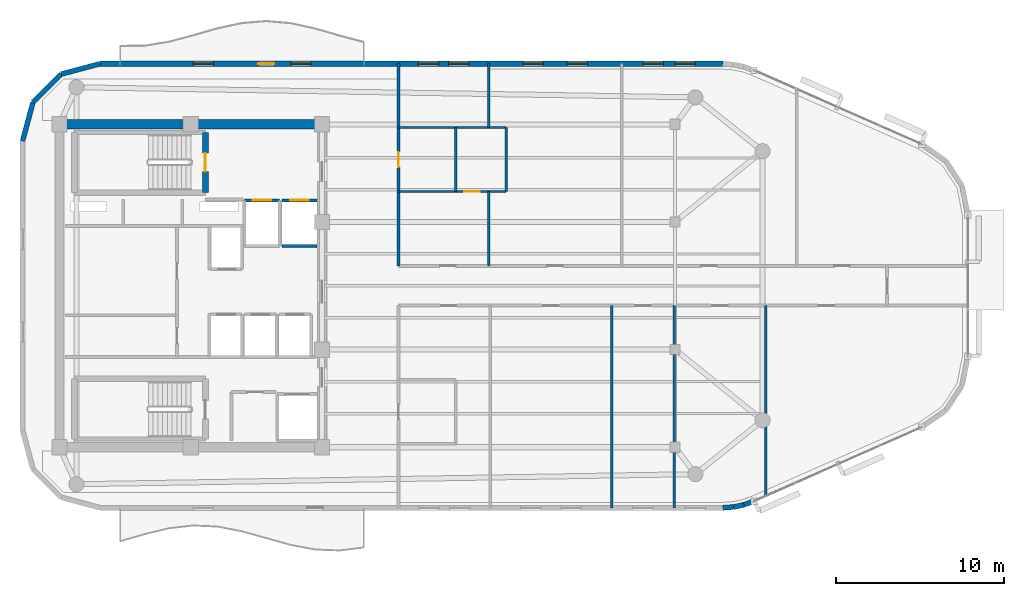
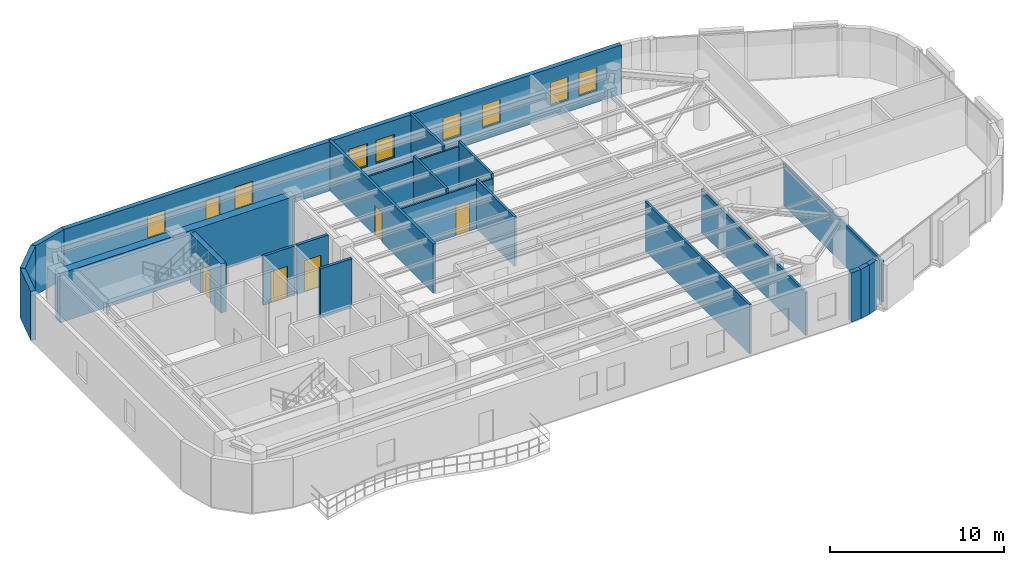
# One storey, part 9 of 14: 22 walls, 8 windows, 6 doors, 14 openings.
"""IFC4 building model written with IfcOpenShell, lengths in metres."""

from ifc_helpers import new_model, si_unit, direction, frame, frame_2d, origin, place, context, subcontext, project, spatial, rectangle, extrude, material, layer, layer_set, type_object, element, fill, save


model = new_model("IFC4")

# Units and contexts
model_context = context("Model", 3, precision=1e-05, world=origin(), true_north=direction((0.0, 1.0)))
body_context = subcontext(model_context, "Body", "Model", "MODEL_VIEW")
ifc_project = project(units=[si_unit("LENGTHUNIT", "METRE"), si_unit("AREAUNIT", "SQUARE_METRE"), si_unit("VOLUMEUNIT", "CUBIC_METRE"), si_unit("PLANEANGLEUNIT", "RADIAN"), si_unit("MASSUNIT", "GRAM", prefix="KILO")], contexts=[model_context])

# Site, building, storey
site_placement = place(None, origin())
site = spatial("IfcSite", under=ifc_project, at=site_placement, CompositionType="ELEMENT")
building_placement = place(site_placement, origin())
building = spatial("IfcBuilding", under=site, at=building_placement, Name="An Khanh Terracotta Commons", CompositionType="ELEMENT")
storey_placement = place(building_placement, frame((0.0, 0.0, 280.699951171875)))
storey = spatial("IfcBuildingStorey", under=building, at=storey_placement, Name="L73", CompositionType="ELEMENT", Elevation=280.699951171875)

# Wall
ifc_material_1 = material(Name="Concrete C50/60", Category="concrete")
ifc_layer_1 = layer(ifc_material_1, 0.550048828125, Name="Concrete C50/60")
ifc_layer_set_1 = layer_set([ifc_layer_1], Name="Concrete C50/60")
wall_type_1 = type_object("IfcWallType", Name="WALL-CORE-550", PredefinedType="SHEAR", material=ifc_layer_set_1)
wall_1_placement = place(storey_placement, frame((21.60009765625, 33.60009765625, 0.0), z_axis=(0.0, 0.0, 1.0), x_axis=(1.0, 0.0, 0.0)))
element("IfcWall", 1, at=wall_1_placement, inside=storey, type_object=wall_type_1, Name="L73 Core Wall CWALL-L73-N", PredefinedType="SHEAR", context=body_context, shape_type="SweptSolid", body=[
    extrude(rectangle(XDim=15.599853515625, YDim=0.550048828125, at=frame_2d((7.7998046875, 0.0))), origin(), (0.0, 0.0, 1.0), 3.449951171875),
])

# Wall, opening, door
ifc_material_2 = material(Name="Fire-Rated Gypsum Board on Steel Stud", Category="steel")
ifc_layer_2 = layer(ifc_material_2, 0.179931640625, Name="Fire-Rated Gypsum Board on Steel Stud")
ifc_layer_set_2 = layer_set([ifc_layer_2], Name="Fire-Rated Gypsum Board on Steel Stud")
wall_type_2 = type_object("IfcWallType", Name="WALL-CORR-180", PredefinedType="PARTITIONING", material=ifc_layer_set_2)
wall_2_placement = place(storey_placement, frame((32.60009765625, 29.080078125, 0.0), z_axis=(0.0, 0.0, 1.0), x_axis=(1.0, 0.0, 0.0)))
wall_2 = element("IfcWall", 2, at=wall_2_placement, inside=storey, type_object=wall_type_2, Name="L73 Core Wall LSH-L73-FFL-01-N", PredefinedType="PARTITIONING", context=body_context, shape_type="SweptSolid", body=[
    extrude(rectangle(XDim=2.079833984375, YDim=0.179931640625, at=frame_2d((1.0400390625, 0.0))), origin(), (0.0, 0.0, 1.0), 3.449951171875),
])
opening_1_placement = place(wall_2_placement, frame((0.489990234375, 0.0, 0.0)))
opening_1 = element("IfcOpeningElement", 3, at=opening_1_placement, cuts=wall_2, Name="Opening LD-FFL-01-L73", PredefinedType="OPENING", context=body_context, shape_type="SweptSolid", body=[
    extrude(rectangle(XDim=1.10009765625, YDim=2.199951171875, at=frame_2d((0.550048828125, 1.10009765625))), frame((0.0, 0.099853515625, 0.0), z_axis=(0.0, -1.0, 0.0), x_axis=(1.0, 0.0, 0.0)), (0.0, 0.0, 1.0), 0.199951171875),
])
ifc_material_3 = material(Name="Brushed Stainless Steel Fire Landing Door", Category="steel")
door_type_1 = type_object("IfcDoorType", Name="DOOR-LD-FFL-1100", OperationType="NOTDEFINED", PredefinedType="DOOR", material=ifc_material_3)
door_1_placement = place(opening_1_placement, origin())
door_1 = element("IfcDoor", 4, at=door_1_placement, inside=storey, type_object=door_type_1, Name="L73 Lift FFL-01 Sliding Landing Door", OperationType="DOUBLE_DOOR_SLIDING", OverallHeight=2.199951171875, OverallWidth=1.10009765625, PredefinedType="DOOR", context=body_context, shape_type="SweptSolid", body=[
    extrude(rectangle(XDim=1.10009765625, YDim=2.199951171875, at=frame_2d((0.550048828125, 1.10009765625))), frame((0.0, 0.02490234375, 0.0), z_axis=(0.0, -1.0, 0.0), x_axis=(1.0, 0.0, 0.0)), (0.0, 0.0, 1.0), 0.050048828125),
])
fill(opening_1, door_1)

wall_3_placement = place(storey_placement, frame((34.820068359375, 29.080078125, 0.0), z_axis=(0.0, 0.0, 1.0), x_axis=(1.0, 0.0, 0.0)))
wall_3 = element("IfcWall", 5, at=wall_3_placement, inside=storey, type_object=wall_type_2, Name="L73 Core Wall LSH-L73-FFL-02-N", PredefinedType="PARTITIONING", context=body_context, shape_type="SweptSolid", body=[
    extrude(rectangle(XDim=2.079833984375, YDim=0.179931640625, at=frame_2d((1.0400390625, 0.0))), origin(), (0.0, 0.0, 1.0), 3.449951171875),
])
opening_2_placement = place(wall_3_placement, frame((0.489990234375, 0.0, 0.0)))
opening_2 = element("IfcOpeningElement", 6, at=opening_2_placement, cuts=wall_3, Name="Opening LD-FFL-02-L73", PredefinedType="OPENING", context=body_context, shape_type="SweptSolid", body=[
    extrude(rectangle(XDim=1.10009765625, YDim=2.199951171875, at=frame_2d((0.550048828125, 1.10009765625))), frame((0.0, 0.099853515625, 0.0), z_axis=(0.0, -1.0, 0.0), x_axis=(1.0, 0.0, 0.0)), (0.0, 0.0, 1.0), 0.199951171875),
])
door_2_placement = place(opening_2_placement, origin())
door_2 = element("IfcDoor", 7, at=door_2_placement, inside=storey, type_object=door_type_1, Name="L73 Lift FFL-02 Sliding Landing Door", OperationType="DOUBLE_DOOR_SLIDING", OverallHeight=2.199951171875, OverallWidth=1.10009765625, PredefinedType="DOOR", context=body_context, shape_type="SweptSolid", body=[
    extrude(rectangle(XDim=1.10009765625, YDim=2.199951171875, at=frame_2d((0.550048828125, 1.10009765625))), frame((0.0, 0.02490234375, 0.0), z_axis=(0.0, -1.0, 0.0), x_axis=(1.0, 0.0, 0.0)), (0.0, 0.0, 1.0), 0.050048828125),
])
fill(opening_2, door_2)

# Wall
wall_4_placement = place(storey_placement, frame((36.89990234375, 26.35009765625, 0.0), z_axis=(0.0, 0.0, 1.0), x_axis=(-1.0, 0.0, 0.0)))
element("IfcWall", 8, at=wall_4_placement, inside=storey, type_object=wall_type_2, Name="L73 Core Wall LSH-L73-FFL-02-S", PredefinedType="PARTITIONING", context=body_context, shape_type="SweptSolid", body=[
    extrude(rectangle(XDim=2.079833984375, YDim=0.179931640625, at=frame_2d((1.0400390625, 0.0))), origin(), (0.0, 0.0, 1.0), 3.449951171875),
])

# Wall, opening, door
wall_5_placement = place(storey_placement, frame((41.75, 25.179931640625, 0.0), z_axis=(0.0, 0.0, 1.0), x_axis=(0.0, 1.0, 0.0)))
wall_5 = element("IfcWall", 9, at=wall_5_placement, inside=storey, type_object=wall_type_2, Name="L73 Interior Partition IW-L73-E008", PredefinedType="PARTITIONING", context=body_context, shape_type="SweptSolid", body=[
    extrude(rectangle(XDim=12.02001953125, YDim=0.179931640625, at=frame_2d((6.010009765625, 0.0))), origin(), (0.0, 0.0, 1.0), 3.449951171875),
])
opening_3_placement = place(wall_5_placement, frame((5.8701171875, 0.0, 0.0)))
opening_3 = element("IfcOpeningElement", 10, at=opening_3_placement, cuts=wall_5, Name="Opening D-WC", PredefinedType="OPENING", context=body_context, shape_type="SweptSolid", body=[
    extrude(rectangle(XDim=0.89990234375, YDim=2.10009765625, at=frame_2d((0.449951171875, 1.050048828125))), frame((0.0, 0.099853515625, 0.0), z_axis=(0.0, -1.0, 0.0), x_axis=(1.0, 0.0, 0.0)), (0.0, 0.0, 1.0), 0.199951171875),
])
ifc_material_4 = material(Name="Laminate Moisture-Resistant Timber Leaf", Category="wood")
door_type_2 = type_object("IfcDoorType", Name="DOOR-WC-900", OperationType="NOTDEFINED", PredefinedType="DOOR", material=ifc_material_4)
door_3_placement = place(opening_3_placement, origin())
door_3 = element("IfcDoor", 11, at=door_3_placement, inside=storey, type_object=door_type_2, Name="L73 AWC Accessible WC Door", OperationType="SINGLE_SWING_LEFT", OverallHeight=2.10009765625, OverallWidth=0.89990234375, PredefinedType="DOOR", context=body_context, shape_type="SweptSolid", body=[
    extrude(rectangle(XDim=0.89990234375, YDim=2.10009765625, at=frame_2d((0.449951171875, 1.050048828125))), frame((0.0, 0.02490234375, 0.0), z_axis=(0.0, -1.0, 0.0), x_axis=(1.0, 0.0, 0.0)), (0.0, 0.0, 1.0), 0.050048828125),
])
fill(opening_3, door_3)

# Walls
ifc_material_5 = material(Name="Precast concrete C40/50", Category="concrete")
ifc_layer_3 = layer(ifc_material_5, 0.300048828125, Name="Precast concrete C40/50")
ifc_layer_set_3 = layer_set([ifc_layer_3], Name="Precast concrete C40/50")
wall_type_3 = type_object("IfcWallType", Name="WALL-EXT-300", PredefinedType="SOLIDWALL", material=ifc_layer_set_3)
wall_6_placement = place(storey_placement, frame((61.030029296875, 10.800048828125, 0.0), z_axis=(0.0, 0.0, 1.0), x_axis=(0.997613959688, 0.069039028352, 0.0)))
element("IfcWall", 12, at=wall_6_placement, inside=storey, type_object=wall_type_3, Name="L73 Insulated Terracotta Exterior Wall 5", PredefinedType="SOLIDWALL", context=body_context, shape_type="SweptSolid", body=[
    extrude(rectangle(XDim=0.636474609375, YDim=0.300048828125, at=frame_2d((0.318359375, 0.0))), origin(), (0.0, 0.0, 1.0), 3.449951171875),
])
wall_7_placement = place(storey_placement, frame((61.6650390625, 10.843994140625, 0.0), z_axis=(0.0, 0.0, 1.0), x_axis=(0.97857012251, 0.205913854149, 0.0)))
element("IfcWall", 13, at=wall_7_placement, inside=storey, type_object=wall_type_3, Name="L73 Insulated Terracotta Exterior Wall 6", PredefinedType="SOLIDWALL", context=body_context, shape_type="SweptSolid", body=[
    extrude(rectangle(XDim=0.63671875, YDim=0.300048828125, at=frame_2d((0.318359375, 0.0))), origin(), (0.0, 0.0, 1.0), 3.449951171875),
])
wall_8_placement = place(storey_placement, frame((62.2880859375, 10.97509765625, 0.0), z_axis=(0.0, 0.0, 1.0), x_axis=(0.94077491148, 0.339031806665, 0.0)))
element("IfcWall", 14, at=wall_8_placement, inside=storey, type_object=wall_type_3, Name="L73 Insulated Terracotta Exterior Wall 7", PredefinedType="SOLIDWALL", context=body_context, shape_type="SweptSolid", body=[
    extrude(rectangle(XDim=0.636474609375, YDim=0.300048828125, at=frame_2d((0.318359375, 0.0))), origin(), (0.0, 0.0, 1.0), 3.449951171875),
])

# Wall, openings, door, windows
wall_9_placement = place(storey_placement, frame((61.030029296875, 37.199951171875, 0.0), z_axis=(0.0, 0.0, 1.0), x_axis=(-1.0, 0.0, 0.0)))
wall_9 = element("IfcWall", 15, at=wall_9_placement, inside=storey, type_object=wall_type_3, Name="L73 Insulated Terracotta Exterior Wall 20", PredefinedType="SOLIDWALL", context=body_context, shape_type="SweptSolid", body=[
    extrude(rectangle(XDim=37.030029296875, YDim=0.300048828125, at=frame_2d((18.51513671875, 0.0))), origin(), (0.0, 0.0, 1.0), 3.449951171875),
])
opening_4_placement = place(wall_9_placement, frame((26.655029296875, 0.0, 0.0)))
opening_4 = element("IfcOpeningElement", 16, at=opening_4_placement, cuts=wall_9, Name="Opening D-BAL", PredefinedType="OPENING", context=body_context, shape_type="SweptSolid", body=[
    extrude(rectangle(XDim=0.949951171875, YDim=2.199951171875, at=frame_2d((0.47509765625, 1.10009765625))), frame((0.0, 0.159912109375, 0.0), z_axis=(0.0, -1.0, 0.0), x_axis=(1.0, 0.0, 0.0)), (0.0, 0.0, 1.0), 0.320068359375),
])
opening_5_placement = place(wall_9_placement, frame((1.638916015625, 0.0, 0.85009765625)))
opening_5 = element("IfcOpeningElement", 17, at=opening_5_placement, cuts=wall_9, Name="Opening W-05", PredefinedType="OPENING", context=body_context, shape_type="SweptSolid", body=[
    extrude(rectangle(XDim=1.199951171875, YDim=1.60009765625, at=frame_2d((0.60009765625, 0.800048828125))), frame((0.0, 0.159912109375, 0.0), z_axis=(0.0, -1.0, 0.0), x_axis=(1.0, 0.0, 0.0)), (0.0, 0.0, 1.0), 0.320068359375),
])
opening_6_placement = place(wall_9_placement, frame((3.529052734375, 0.0, 0.85009765625)))
opening_6 = element("IfcOpeningElement", 18, at=opening_6_placement, cuts=wall_9, Name="Opening W-05", PredefinedType="OPENING", context=body_context, shape_type="SweptSolid", body=[
    extrude(rectangle(XDim=1.199951171875, YDim=1.60009765625, at=frame_2d((0.60009765625, 0.800048828125))), frame((0.0, 0.159912109375, 0.0), z_axis=(0.0, -1.0, 0.0), x_axis=(1.0, 0.0, 0.0)), (0.0, 0.0, 1.0), 0.320068359375),
])
opening_7_placement = place(wall_9_placement, frame((8.049072265625, 0.0, 0.85009765625)))
opening_7 = element("IfcOpeningElement", 19, at=opening_7_placement, cuts=wall_9, Name="Opening W-05", PredefinedType="OPENING", context=body_context, shape_type="SweptSolid", body=[
    extrude(rectangle(XDim=1.199951171875, YDim=1.60009765625, at=frame_2d((0.60009765625, 0.800048828125))), frame((0.0, 0.159912109375, 0.0), z_axis=(0.0, -1.0, 0.0), x_axis=(1.0, 0.0, 0.0)), (0.0, 0.0, 1.0), 0.320068359375),
])
opening_8_placement = place(wall_9_placement, frame((10.680908203125, 0.0, 0.85009765625)))
opening_8 = element("IfcOpeningElement", 20, at=opening_8_placement, cuts=wall_9, Name="Opening W-05", PredefinedType="OPENING", context=body_context, shape_type="SweptSolid", body=[
    extrude(rectangle(XDim=1.199951171875, YDim=1.60009765625, at=frame_2d((0.60009765625, 0.800048828125))), frame((0.0, 0.159912109375, 0.0), z_axis=(0.0, -1.0, 0.0), x_axis=(1.0, 0.0, 0.0)), (0.0, 0.0, 1.0), 0.320068359375),
])
opening_9_placement = place(wall_9_placement, frame((15.10107421875, 0.0, 0.85009765625)))
opening_9 = element("IfcOpeningElement", 21, at=opening_9_placement, cuts=wall_9, Name="Opening W-05", PredefinedType="OPENING", context=body_context, shape_type="SweptSolid", body=[
    extrude(rectangle(XDim=1.199951171875, YDim=1.60009765625, at=frame_2d((0.60009765625, 0.800048828125))), frame((0.0, 0.159912109375, 0.0), z_axis=(0.0, -1.0, 0.0), x_axis=(1.0, 0.0, 0.0)), (0.0, 0.0, 1.0), 0.320068359375),
])
opening_10_placement = place(wall_9_placement, frame((16.89111328125, 0.0, 0.85009765625)))
opening_10 = element("IfcOpeningElement", 22, at=opening_10_placement, cuts=wall_9, Name="Opening W-05", PredefinedType="OPENING", context=body_context, shape_type="SweptSolid", body=[
    extrude(rectangle(XDim=1.199951171875, YDim=1.60009765625, at=frame_2d((0.60009765625, 0.800048828125))), frame((0.0, 0.159912109375, 0.0), z_axis=(0.0, -1.0, 0.0), x_axis=(1.0, 0.0, 0.0)), (0.0, 0.0, 1.0), 0.320068359375),
])
opening_11_placement = place(wall_9_placement, frame((24.47998046875, 0.0, 0.85009765625)))
opening_11 = element("IfcOpeningElement", 23, at=opening_11_placement, cuts=wall_9, Name="Opening W-05", PredefinedType="OPENING", context=body_context, shape_type="SweptSolid", body=[
    extrude(rectangle(XDim=1.199951171875, YDim=1.60009765625, at=frame_2d((0.60009765625, 0.800048828125))), frame((0.0, 0.159912109375, 0.0), z_axis=(0.0, -1.0, 0.0), x_axis=(1.0, 0.0, 0.0)), (0.0, 0.0, 1.0), 0.320068359375),
])
opening_12_placement = place(wall_9_placement, frame((30.280029296875, 0.0, 0.85009765625)))
opening_12 = element("IfcOpeningElement", 24, at=opening_12_placement, cuts=wall_9, Name="Opening W-05", PredefinedType="OPENING", context=body_context, shape_type="SweptSolid", body=[
    extrude(rectangle(XDim=1.199951171875, YDim=1.60009765625, at=frame_2d((0.60009765625, 0.800048828125))), frame((0.0, 0.159912109375, 0.0), z_axis=(0.0, -1.0, 0.0), x_axis=(1.0, 0.0, 0.0)), (0.0, 0.0, 1.0), 0.320068359375),
])
ifc_material_6 = material(Name="Thermally Broken Aluminium and Low-E Glass", Category="aluminium")
door_type_3 = type_object("IfcDoorType", Name="DOOR-BALC-950", OperationType="NOTDEFINED", PredefinedType="DOOR", material=ifc_material_6)
door_4_placement = place(opening_4_placement, origin())
door_4 = element("IfcDoor", 25, at=door_4_placement, inside=storey, type_object=door_type_3, Name="L73 N Wave Balcony Glazed Door", OperationType="SINGLE_SWING_RIGHT", OverallHeight=2.199951171875, OverallWidth=0.949951171875, PredefinedType="DOOR", context=body_context, shape_type="SweptSolid", body=[
    extrude(rectangle(XDim=0.949951171875, YDim=2.199951171875, at=frame_2d((0.47509765625, 1.10009765625))), frame((0.0, 0.02490234375, 0.0), z_axis=(0.0, -1.0, 0.0), x_axis=(1.0, 0.0, 0.0)), (0.0, 0.0, 1.0), 0.050048828125),
])
fill(opening_4, door_4)
window_type = type_object("IfcWindowType", Name="WIN-Z5-1200x1600", PartitioningType="SINGLE_PANEL", PredefinedType="WINDOW", material=ifc_material_6)
window_1_placement = place(opening_5_placement, origin())
window_1 = element("IfcWindow", 26, at=window_1_placement, inside=storey, type_object=window_type, Name="L73 Operable Casement Window 20.1", OverallHeight=1.60009765625, OverallWidth=1.199951171875, PartitioningType="SINGLE_PANEL", PredefinedType="WINDOW", context=body_context, shape_type="SweptSolid", body=[
    extrude(rectangle(XDim=1.199951171875, YDim=1.60009765625, at=frame_2d((0.60009765625, 0.800048828125))), frame((0.0, 0.030029296875, 0.0), z_axis=(0.0, -1.0, 0.0), x_axis=(1.0, 0.0, 0.0)), (0.0, 0.0, 1.0), 0.06005859375),
])
fill(opening_5, window_1)
window_2_placement = place(opening_6_placement, origin())
window_2 = element("IfcWindow", 27, at=window_2_placement, inside=storey, type_object=window_type, Name="L73 Operable Casement Window 20.2", OverallHeight=1.60009765625, OverallWidth=1.199951171875, PartitioningType="SINGLE_PANEL", PredefinedType="WINDOW", context=body_context, shape_type="SweptSolid", body=[
    extrude(rectangle(XDim=1.199951171875, YDim=1.60009765625, at=frame_2d((0.60009765625, 0.800048828125))), frame((0.0, 0.030029296875, 0.0), z_axis=(0.0, -1.0, 0.0), x_axis=(1.0, 0.0, 0.0)), (0.0, 0.0, 1.0), 0.06005859375),
])
fill(opening_6, window_2)
window_3_placement = place(opening_7_placement, origin())
window_3 = element("IfcWindow", 28, at=window_3_placement, inside=storey, type_object=window_type, Name="L73 Operable Casement Window 20.3", OverallHeight=1.60009765625, OverallWidth=1.199951171875, PartitioningType="SINGLE_PANEL", PredefinedType="WINDOW", context=body_context, shape_type="SweptSolid", body=[
    extrude(rectangle(XDim=1.199951171875, YDim=1.60009765625, at=frame_2d((0.60009765625, 0.800048828125))), frame((0.0, 0.030029296875, 0.0), z_axis=(0.0, -1.0, 0.0), x_axis=(1.0, 0.0, 0.0)), (0.0, 0.0, 1.0), 0.06005859375),
])
fill(opening_7, window_3)
window_4_placement = place(opening_8_placement, origin())
window_4 = element("IfcWindow", 29, at=window_4_placement, inside=storey, type_object=window_type, Name="L73 Operable Casement Window 20.4", OverallHeight=1.60009765625, OverallWidth=1.199951171875, PartitioningType="SINGLE_PANEL", PredefinedType="WINDOW", context=body_context, shape_type="SweptSolid", body=[
    extrude(rectangle(XDim=1.199951171875, YDim=1.60009765625, at=frame_2d((0.60009765625, 0.800048828125))), frame((0.0, 0.030029296875, 0.0), z_axis=(0.0, -1.0, 0.0), x_axis=(1.0, 0.0, 0.0)), (0.0, 0.0, 1.0), 0.06005859375),
])
fill(opening_8, window_4)
window_5_placement = place(opening_9_placement, origin())
window_5 = element("IfcWindow", 30, at=window_5_placement, inside=storey, type_object=window_type, Name="L73 Operable Casement Window 20.5", OverallHeight=1.60009765625, OverallWidth=1.199951171875, PartitioningType="SINGLE_PANEL", PredefinedType="WINDOW", context=body_context, shape_type="SweptSolid", body=[
    extrude(rectangle(XDim=1.199951171875, YDim=1.60009765625, at=frame_2d((0.60009765625, 0.800048828125))), frame((0.0, 0.030029296875, 0.0), z_axis=(0.0, -1.0, 0.0), x_axis=(1.0, 0.0, 0.0)), (0.0, 0.0, 1.0), 0.06005859375),
])
fill(opening_9, window_5)
window_6_placement = place(opening_10_placement, origin())
window_6 = element("IfcWindow", 31, at=window_6_placement, inside=storey, type_object=window_type, Name="L73 Operable Casement Window 20.6", OverallHeight=1.60009765625, OverallWidth=1.199951171875, PartitioningType="SINGLE_PANEL", PredefinedType="WINDOW", context=body_context, shape_type="SweptSolid", body=[
    extrude(rectangle(XDim=1.199951171875, YDim=1.60009765625, at=frame_2d((0.60009765625, 0.800048828125))), frame((0.0, 0.030029296875, 0.0), z_axis=(0.0, -1.0, 0.0), x_axis=(1.0, 0.0, 0.0)), (0.0, 0.0, 1.0), 0.06005859375),
])
fill(opening_10, window_6)
window_7_placement = place(opening_11_placement, origin())
window_7 = element("IfcWindow", 32, at=window_7_placement, inside=storey, type_object=window_type, Name="L73 Operable Casement Window 20.7", OverallHeight=1.60009765625, OverallWidth=1.199951171875, PartitioningType="SINGLE_PANEL", PredefinedType="WINDOW", context=body_context, shape_type="SweptSolid", body=[
    extrude(rectangle(XDim=1.199951171875, YDim=1.60009765625, at=frame_2d((0.60009765625, 0.800048828125))), frame((0.0, 0.030029296875, 0.0), z_axis=(0.0, -1.0, 0.0), x_axis=(1.0, 0.0, 0.0)), (0.0, 0.0, 1.0), 0.06005859375),
])
fill(opening_11, window_7)
window_8_placement = place(opening_12_placement, origin())
window_8 = element("IfcWindow", 33, at=window_8_placement, inside=storey, type_object=window_type, Name="L73 Operable Casement Window 20.8", OverallHeight=1.60009765625, OverallWidth=1.199951171875, PartitioningType="SINGLE_PANEL", PredefinedType="WINDOW", context=body_context, shape_type="SweptSolid", body=[
    extrude(rectangle(XDim=1.199951171875, YDim=1.60009765625, at=frame_2d((0.60009765625, 0.800048828125))), frame((0.0, 0.030029296875, 0.0), z_axis=(0.0, -1.0, 0.0), x_axis=(1.0, 0.0, 0.0)), (0.0, 0.0, 1.0), 0.06005859375),
])
fill(opening_12, window_8)

# Walls
wall_10_placement = place(storey_placement, frame((24.0, 37.199951171875, 0.0), z_axis=(0.0, 0.0, 1.0), x_axis=(-0.965960405575, -0.25868995895, 0.0)))
element("IfcWall", 34, at=wall_10_placement, inside=storey, type_object=wall_type_3, Name="L73 Insulated Terracotta Exterior Wall 21", PredefinedType="SOLIDWALL", context=body_context, shape_type="SweptSolid", body=[
    extrude(rectangle(XDim=2.381103515625, YDim=0.300048828125, at=frame_2d((1.1904296875, 0.0))), origin(), (0.0, 0.0, 1.0), 3.449951171875),
])
wall_11_placement = place(storey_placement, frame((21.699951171875, 36.583984375, 0.0), z_axis=(0.0, 0.0, 1.0), x_axis=(-0.707055521135, -0.707158037522, 0.0)))
element("IfcWall", 35, at=wall_11_placement, inside=storey, type_object=wall_type_3, Name="L73 Insulated Terracotta Exterior Wall 22", PredefinedType="SOLIDWALL", context=body_context, shape_type="SweptSolid", body=[
    extrude(rectangle(XDim=2.381591796875, YDim=0.300048828125, at=frame_2d((1.19091796875, 0.0))), origin(), (0.0, 0.0, 1.0), 3.449951171875),
])
wall_12_placement = place(storey_placement, frame((20.01611328125, 34.89990234375, 0.0), z_axis=(0.0, 0.0, 1.0), x_axis=(-0.258811258154, -0.965927912762, 0.0)))
element("IfcWall", 36, at=wall_12_placement, inside=storey, type_object=wall_type_3, Name="L73 Insulated Terracotta Exterior Wall 23", PredefinedType="SOLIDWALL", context=body_context, shape_type="SweptSolid", body=[
    extrude(rectangle(XDim=2.380859375, YDim=0.300048828125, at=frame_2d((1.1904296875, 0.0))), origin(), (0.0, 0.0, 1.0), 3.449951171875),
])
ifc_material_7 = material(Name="Acoustic Gypsum Board Partition")
ifc_layer_4 = layer(ifc_material_7, 0.14990234375, Name="Acoustic Gypsum Board Partition")
ifc_layer_set_4 = layer_set([ifc_layer_4], Name="Acoustic Gypsum Board Partition")
wall_type_4 = type_object("IfcWallType", Name="WALL-PART-150", PredefinedType="PARTITIONING", material=ifc_layer_set_4)
wall_13_placement = place(storey_placement, frame((45.14990234375, 29.60009765625, 0.0), z_axis=(0.0, 0.0, 1.0), x_axis=(0.0, 1.0, 0.0)))
element("IfcWall", 37, at=wall_13_placement, inside=storey, type_object=wall_type_4, Name="L73 Interior Partition IW-L73-E010", PredefinedType="PARTITIONING", context=body_context, shape_type="SweptSolid", body=[
    extrude(rectangle(XDim=3.7998046875, YDim=0.14990234375, at=frame_2d((1.89990234375, 0.0))), origin(), (0.0, 0.0, 1.0), 3.449951171875),
])
wall_14_placement = place(storey_placement, frame((47.117919921875, 25.179931640625, 0.0), z_axis=(0.0, 0.0, 1.0), x_axis=(0.0, 1.0, 0.0)))
element("IfcWall", 38, at=wall_14_placement, inside=storey, type_object=wall_type_4, Name="L73 Interior Partition IW-L73-E012", PredefinedType="PARTITIONING", context=body_context, shape_type="SweptSolid", body=[
    extrude(rectangle(XDim=4.420166015625, YDim=0.14990234375, at=frame_2d((2.2099609375, 0.0))), origin(), (0.0, 0.0, 1.0), 3.449951171875),
])
wall_15_placement = place(storey_placement, frame((47.117919921875, 33.39990234375, 0.0), z_axis=(0.0, 0.0, 1.0), x_axis=(0.0, 1.0, 0.0)))
element("IfcWall", 39, at=wall_15_placement, inside=storey, type_object=wall_type_4, Name="L73 Interior Partition IW-L73-E013", PredefinedType="PARTITIONING", context=body_context, shape_type="SweptSolid", body=[
    extrude(rectangle(XDim=3.800048828125, YDim=0.14990234375, at=frame_2d((1.89990234375, 0.0))), origin(), (0.0, 0.0, 1.0), 3.449951171875),
])
wall_16_placement = place(storey_placement, frame((48.14990234375, 29.60009765625, 0.0), z_axis=(0.0, 0.0, 1.0), x_axis=(0.0, 1.0, 0.0)))
element("IfcWall", 40, at=wall_16_placement, inside=storey, type_object=wall_type_4, Name="L73 Interior Partition IW-L73-E014", PredefinedType="PARTITIONING", context=body_context, shape_type="SweptSolid", body=[
    extrude(rectangle(XDim=3.7998046875, YDim=0.14990234375, at=frame_2d((1.89990234375, 0.0))), origin(), (0.0, 0.0, 1.0), 3.449951171875),
])
wall_17_placement = place(storey_placement, frame((54.41796875, 10.800048828125, 0.0), z_axis=(0.0, 0.0, 1.0), x_axis=(0.0, 1.0, 0.0)))
element("IfcWall", 41, at=wall_17_placement, inside=storey, type_object=wall_type_4, Name="L73 Interior Partition IW-L73-E015", PredefinedType="PARTITIONING", context=body_context, shape_type="SweptSolid", body=[
    extrude(rectangle(XDim=12.02001953125, YDim=0.14990234375, at=frame_2d((6.010009765625, 0.0))), origin(), (0.0, 0.0, 1.0), 3.449951171875),
])
wall_18_placement = place(storey_placement, frame((58.132080078125, 10.800048828125, 0.0), z_axis=(0.0, 0.0, 1.0), x_axis=(0.0, 1.0, 0.0)))
element("IfcWall", 42, at=wall_18_placement, inside=storey, type_object=wall_type_4, Name="L73 Interior Partition IW-L73-E017", PredefinedType="PARTITIONING", context=body_context, shape_type="SweptSolid", body=[
    extrude(rectangle(XDim=12.02001953125, YDim=0.14990234375, at=frame_2d((6.010009765625, 0.0))), origin(), (0.0, 0.0, 1.0), 3.031982421875),
])
wall_19_placement = place(storey_placement, frame((63.592041015625, 11.501953125, 0.0), z_axis=(0.0, 0.0, 1.0), x_axis=(0.0, 1.0, 0.0)))
element("IfcWall", 43, at=wall_19_placement, inside=storey, type_object=wall_type_4, Name="L73 Interior Partition IW-L73-E018", PredefinedType="PARTITIONING", context=body_context, shape_type="SweptSolid", body=[
    extrude(rectangle(XDim=11.318115234375, YDim=0.14990234375, at=frame_2d((5.6591796875, 0.0))), origin(), (0.0, 0.0, 1.0), 2.93212890625),
])

# Wall, opening, door
ifc_layer_5 = layer(ifc_material_1, 0.35009765625, Name="Concrete C50/60")
ifc_layer_set_5 = layer_set([ifc_layer_5], Name="Concrete C50/60")
wall_type_5 = type_object("IfcWallType", Name="WALL-SHAFT-350", PredefinedType="SOLIDWALL", material=ifc_layer_set_5)
wall_20_placement = place(storey_placement, frame((30.27001953125, 29.530029296875, 0.0), z_axis=(0.0, 0.0, 1.0), x_axis=(0.0, 1.0, 0.0)))
wall_20 = element("IfcWall", 44, at=wall_20_placement, inside=storey, type_object=wall_type_5, Name="L73 Core Wall STW-L73-N-E", PredefinedType="SOLIDWALL", context=body_context, shape_type="SweptSolid", body=[
    extrude(rectangle(XDim=3.580078125, YDim=0.35009765625, at=frame_2d((1.7900390625, 0.0))), origin(), (0.0, 0.0, 1.0), 3.449951171875),
])
opening_13_placement = place(wall_20_placement, frame((1.25, 0.0, 0.0)))
opening_13 = element("IfcOpeningElement", 45, at=opening_13_placement, cuts=wall_20, Name="Opening D-ST", PredefinedType="OPENING", context=body_context, shape_type="SweptSolid", body=[
    extrude(rectangle(XDim=1.10009765625, YDim=2.14990234375, at=frame_2d((0.550048828125, 1.074951171875))), frame((0.0, 0.18505859375, 0.0), z_axis=(0.0, -1.0, 0.0), x_axis=(1.0, 0.0, 0.0)), (0.0, 0.0, 1.0), 0.3701171875),
])
ifc_material_8 = material(Name="Fire-Rated Steel Leaf and Frame", Category="steel")
door_type_4 = type_object("IfcDoorType", Name="DOOR-STAIR-1100", OperationType="NOTDEFINED", PredefinedType="DOOR", material=ifc_material_8)
door_5_placement = place(opening_13_placement, origin())
door_5 = element("IfcDoor", 46, at=door_5_placement, inside=storey, type_object=door_type_4, Name="L73 Stair ST-01 Fire Door", OperationType="SINGLE_SWING_RIGHT", OverallHeight=2.14990234375, OverallWidth=1.10009765625, PredefinedType="DOOR", context=body_context, shape_type="SweptSolid", body=[
    extrude(rectangle(XDim=1.10009765625, YDim=2.14990234375, at=frame_2d((0.550048828125, 1.074951171875))), frame((0.0, 0.02490234375, 0.0), z_axis=(0.0, -1.0, 0.0), x_axis=(1.0, 0.0, 0.0)), (0.0, 0.0, 1.0), 0.050048828125),
])
fill(opening_13, door_5)

ifc_material_9 = material(Name="Moisture-Resistant Cement Board Partition")
ifc_layer_6 = layer(ifc_material_9, 0.1201171875, Name="Moisture-Resistant Cement Board Partition")
ifc_layer_set_6 = layer_set([ifc_layer_6], Name="Moisture-Resistant Cement Board Partition")
wall_type_6 = type_object("IfcWallType", Name="WALL-WET-120", PredefinedType="PARTITIONING", material=ifc_layer_set_6)
wall_21_placement = place(storey_placement, frame((41.75, 29.60009765625, 0.0), z_axis=(0.0, 0.0, 1.0), x_axis=(1.0, 0.0, 0.0)))
wall_21 = element("IfcWall", 47, at=wall_21_placement, inside=storey, type_object=wall_type_6, Name="L73 Interior Partition IW-L73-E005", PredefinedType="PARTITIONING", context=body_context, shape_type="SweptSolid", body=[
    extrude(rectangle(XDim=6.39990234375, YDim=0.1201171875, at=frame_2d((3.199951171875, 0.0))), origin(), (0.0, 0.0, 1.0), 3.132080078125),
])
opening_14_placement = place(wall_21_placement, frame((3.924072265625, 0.0, 0.0)))
opening_14 = element("IfcOpeningElement", 48, at=opening_14_placement, cuts=wall_21, Name="Opening D-RM", PredefinedType="OPENING", context=body_context, shape_type="SweptSolid", body=[
    extrude(rectangle(XDim=0.919921875, YDim=2.10009765625, at=frame_2d((0.4599609375, 1.050048828125))), frame((0.0, 0.070068359375, 0.0), z_axis=(0.0, -1.0, 0.0), x_axis=(1.0, 0.0, 0.0)), (0.0, 0.0, 1.0), 0.14013671875),
])
ifc_material_10 = material(Name="Engineered Hardwood Timber Leaf", Category="wood")
door_type_5 = type_object("IfcDoorType", Name="DOOR-INT-920", OperationType="NOTDEFINED", PredefinedType="DOOR", material=ifc_material_10)
door_6_placement = place(opening_14_placement, origin())
door_6 = element("IfcDoor", 49, at=door_6_placement, inside=storey, type_object=door_type_5, Name="L73 HKP Housekeeping Linen Store Door", OperationType="SINGLE_SWING_LEFT", OverallHeight=2.10009765625, OverallWidth=0.919921875, PredefinedType="DOOR", context=body_context, shape_type="SweptSolid", body=[
    extrude(rectangle(XDim=0.919921875, YDim=2.10009765625, at=frame_2d((0.4599609375, 1.050048828125))), frame((0.0, 0.02490234375, 0.0), z_axis=(0.0, -1.0, 0.0), x_axis=(1.0, 0.0, 0.0)), (0.0, 0.0, 1.0), 0.050048828125),
])
fill(opening_14, door_6)

# Wall
wall_22_placement = place(storey_placement, frame((41.75, 33.39990234375, 0.0), z_axis=(0.0, 0.0, 1.0), x_axis=(1.0, 0.0, 0.0)))
element("IfcWall", 50, at=wall_22_placement, inside=storey, type_object=wall_type_6, Name="L73 Interior Partition IW-L73-E006", PredefinedType="PARTITIONING", context=body_context, shape_type="SweptSolid", body=[
    extrude(rectangle(XDim=6.39990234375, YDim=0.1201171875, at=frame_2d((3.199951171875, 0.0))), origin(), (0.0, 0.0, 1.0), 3.092041015625),
])

save(model, "model.ifc")
